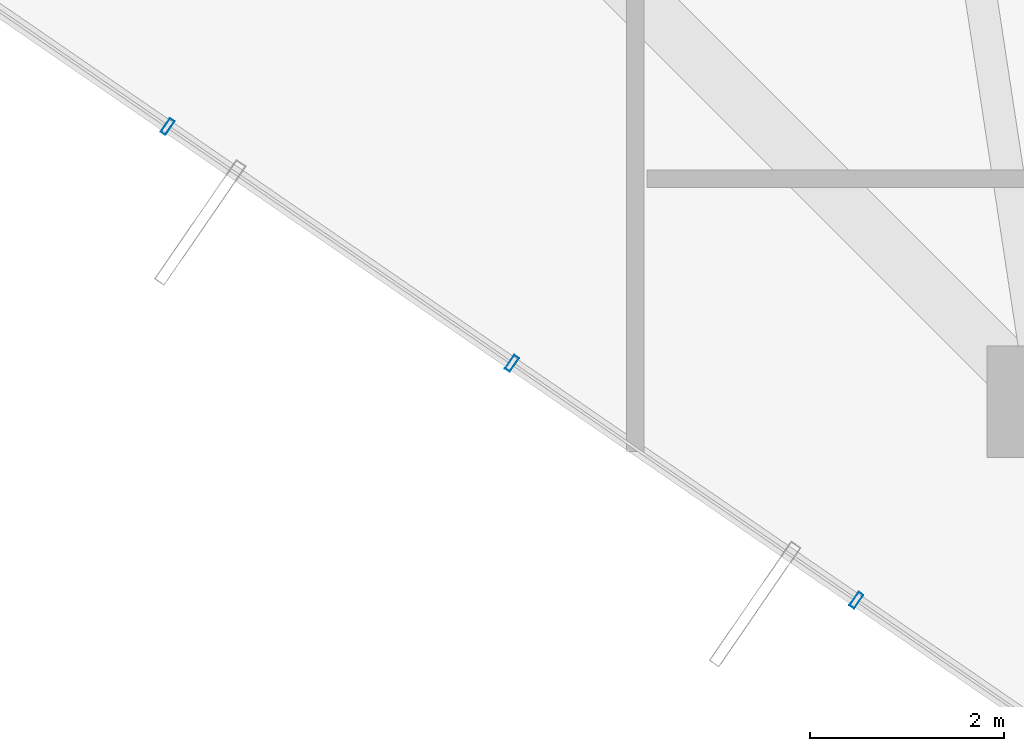
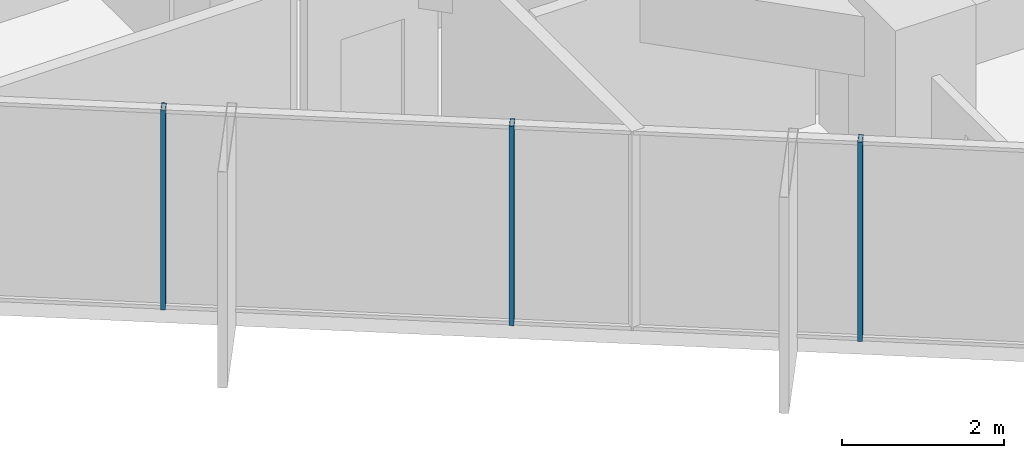
# One storey, part 2 of 30: 3 members, 1 element without a shape of its own.
"""IFC4 building model written with IfcOpenShell, lengths in metres."""

import ifcopenshell
import ifcopenshell.guid

model = None  # the IFC model being written
_history = None  # IfcOwnerHistory: only IFC2X3 demands one
_inside = {}  # id of a spatial element -> (the spatial element, [elements in it])
_under = {}  # id of a project, library or spatial element -> (it, [spatial elements below it])
_declared = {}  # id of a project -> (the project, [libraries it declares])
_typed = {}  # id of a type object -> (the type object, [elements of that type])
_made_of = {}  # id of a material, layer set ... -> (it, [elements and type objects made of it])


def new_model(schema):
    """Start an empty IFC model of exactly this schema.

    Asked for "IFC4X3", IfcOpenShell would pick the latest addendum, in which some entities
    have other attributes; the version numbers below select the first issue.
    IFC2X3 requires an IfcOwnerHistory on every rooted entity: one is made here for all.
    """
    global model, _history
    if schema == "IFC4X3":
        model = ifcopenshell.file(schema_version=(4, 3, 0, 0))
    else:
        model = ifcopenshell.file(schema=schema)
    _inside.clear()
    _under.clear()
    _declared.clear()
    _typed.clear()
    _made_of.clear()
    _history = None
    if model.schema == "IFC2X3":
        org = make("IfcOrganization", Name="unknown")
        user = make(
            "IfcPersonAndOrganization",
            ThePerson=make("IfcPerson", FamilyName="unknown"),
            TheOrganization=org,
        )
        app = make(
            "IfcApplication",
            ApplicationDeveloper=org,
            Version="unknown",
            ApplicationFullName="unknown",
            ApplicationIdentifier="unknown",
        )
        _history = make(
            "IfcOwnerHistory",
            OwningUser=user,
            OwningApplication=app,
            ChangeAction="ADDED",
            CreationDate=0,
        )
    return model


def make(cls, **values):
    """One entity of the class cls with the attributes given. An attribute that is None is left unset."""
    return model.create_entity(
        cls, **{name: value for name, value in values.items() if value is not None}
    )


def rooted(cls, **values):
    """An entity with a GlobalId (a new one), such as an element, a storey or a relation."""
    return make(cls, GlobalId=ifcopenshell.guid.new(), OwnerHistory=_history, **values)


def si_unit(unit_type, name, prefix=None):
    """IfcSIUnit, for example si_unit("LENGTHUNIT", "METRE", prefix="MILLI")."""
    return make("IfcSIUnit", UnitType=unit_type, Prefix=prefix, Name=name)


def assignment(units):
    """IfcUnitAssignment: the units of a project."""
    return None if units is None else make("IfcUnitAssignment", Units=units)


def point(xyz):
    """IfcCartesianPoint."""
    return None if xyz is None else make("IfcCartesianPoint", Coordinates=xyz)


def direction(xyz):
    """IfcDirection."""
    return None if xyz is None else make("IfcDirection", DirectionRatios=xyz)


def frame(location, z_axis=None, x_axis=None):
    """IfcAxis2Placement3D, a coordinate frame: its origin and axes. An axis left out is left unset."""
    return make(
        "IfcAxis2Placement3D",
        Location=point(location),
        Axis=direction(z_axis),
        RefDirection=direction(x_axis),
    )


def frame_2d(location, x_axis=None):
    """IfcAxis2Placement2D, a coordinate frame in the plane: its origin and x axis."""
    return make(
        "IfcAxis2Placement2D", Location=point(location), RefDirection=direction(x_axis)
    )


def origin():
    """The frame at (0, 0, 0) with its axes left unset."""
    return frame((0.0, 0.0, 0.0))


def origin_2d():
    """The frame at (0, 0) in the plane with its x axis left unset."""
    return frame_2d((0.0, 0.0))


def place(relative_to, where):
    """IfcLocalPlacement: puts the frame where relative to a parent placement (None: the world)."""
    return make(
        "IfcLocalPlacement", PlacementRelTo=relative_to, RelativePlacement=where
    )


def context(
    kind, dimensions, precision=None, world=None, true_north=None, identifier=None
):
    """IfcGeometricRepresentationContext, for example the 3D "Model" context."""
    return make(
        "IfcGeometricRepresentationContext",
        ContextIdentifier=identifier,
        ContextType=kind,
        CoordinateSpaceDimension=dimensions,
        Precision=precision,
        WorldCoordinateSystem=world,
        TrueNorth=true_north,
    )


def subcontext(parent, identifier, kind, view, scale=None):
    """IfcGeometricRepresentationSubContext, for example "Body" below "Model"."""
    return make(
        "IfcGeometricRepresentationSubContext",
        ContextIdentifier=identifier,
        ContextType=kind,
        ParentContext=parent,
        TargetScale=scale,
        TargetView=view,
    )


def project(units=None, contexts=None):
    """IfcProject with its units and contexts."""
    return rooted(
        "IfcProject",
        Name="project",
        RepresentationContexts=contexts,
        UnitsInContext=assignment(units),
    )


def spatial(cls, under=None, at=None, **own):
    """A site, building, storey or space (cls), placed at a placement, below another one or the project."""
    s = rooted(cls, ObjectPlacement=at, **own)
    if under is not None:
        _under.setdefault(under.id(), (under, []))[1].append(s)
    return s


def profile(cls, at=None, kind="AREA", **sizes):
    """A parametric profile (cls). Its sizes go by their IFC names, for example OverallWidth=200.0."""
    return make(cls, ProfileType=kind, Position=at, **sizes)


def hollow_rectangle(**sizes):
    """IfcRectangleHollowProfileDef."""
    return profile("IfcRectangleHollowProfileDef", **sizes)


def extrude(swept, where, along, depth):
    """IfcExtrudedAreaSolid: the profile swept, set in the frame where, extruded along a direction by depth."""
    return make(
        "IfcExtrudedAreaSolid",
        SweptArea=swept,
        Position=where,
        ExtrudedDirection=direction(along),
        Depth=depth,
    )


def shape(context_of_items, identifier, shape_type, items):
    """IfcShapeRepresentation: the items that make up one representation, for example the "Body"."""
    return make(
        "IfcShapeRepresentation",
        ContextOfItems=context_of_items,
        RepresentationIdentifier=identifier,
        RepresentationType=shape_type,
        Items=items,
    )


def source(mapping_origin, context_of_items, identifier, shape_type, items):
    """IfcRepresentationMap: a shape defined once, which mapped items show again and again."""
    return make(
        "IfcRepresentationMap",
        MappingOrigin=mapping_origin,
        MappedRepresentation=shape(context_of_items, identifier, shape_type, items),
    )


def transform(
    local_origin,
    x_axis=None,
    y_axis=None,
    z_axis=None,
    scale=None,
    scale2=None,
    scale3=None,
    uniform=True,
):
    """IfcCartesianTransformationOperator3D, or its non-uniform kind. x_axis, y_axis, z_axis: its Axis1, 2, 3."""
    if uniform:
        return make(
            "IfcCartesianTransformationOperator3D",
            Axis1=direction(x_axis),
            Axis2=direction(y_axis),
            LocalOrigin=point(local_origin),
            Scale=scale,
            Axis3=direction(z_axis),
        )
    return make(
        "IfcCartesianTransformationOperator3DnonUniform",
        Axis1=direction(x_axis),
        Axis2=direction(y_axis),
        LocalOrigin=point(local_origin),
        Scale=scale,
        Axis3=direction(z_axis),
        Scale2=scale2,
        Scale3=scale3,
    )


def mapped(mapping_source, mapping_target):
    """IfcMappedItem: shows the shape of a source again, moved by a transform."""
    return make(
        "IfcMappedItem", MappingSource=mapping_source, MappingTarget=mapping_target
    )


def material(Name=None, Category=None):
    """IfcMaterial."""
    return make("IfcMaterial", Name=Name, Category=Category)


def layer(
    of_material, thickness, ventilated=None, Name=None, Category=None, Priority=None
):
    """IfcMaterialLayer: one layer of a wall or slab, of a material (None: an air gap)."""
    return make(
        "IfcMaterialLayer",
        Material=of_material,
        LayerThickness=thickness,
        IsVentilated=ventilated,
        Name=Name,
        Category=Category,
        Priority=Priority,
    )


def layer_set(layers, Name=None):
    """IfcMaterialLayerSet."""
    return make("IfcMaterialLayerSet", MaterialLayers=layers, LayerSetName=Name)


def material_profile(
    of_material, cross_section, Name=None, Category=None, Priority=None
):
    """IfcMaterialProfile: a cross section and its material."""
    return make(
        "IfcMaterialProfile",
        Name=Name,
        Material=of_material,
        Profile=cross_section,
        Priority=Priority,
        Category=Category,
    )


def profile_set(profiles, Name=None, composite=None):
    """IfcMaterialProfileSet."""
    return make(
        "IfcMaterialProfileSet",
        Name=Name,
        MaterialProfiles=profiles,
        CompositeProfile=composite,
    )


def made_of(thing, what):
    """Note that an element or type object is made of a material, layer set ...; save() writes the relation."""
    if what is not None:
        _made_of.setdefault(what.id(), (what, []))[1].append(thing)
    return thing


def type_object(cls, material=None, **own):
    """A type object (cls), such as IfcWallType, which elements share."""
    return made_of(rooted(cls, **own), material)


def element(
    cls,
    number,
    at=None,
    inside=None,
    cuts=None,
    type_object=None,
    material=None,
    context=None,
    identifier="Body",
    shape_type=None,
    held_by="IfcProductDefinitionShape",
    body=None,
    shapes=None,
    **own,
):
    """One element of the class cls, such as IfcWall. Its Tag is "e" and its number.

    at: its placement. inside: the storey or other place that contains it. cuts: it is an
    opening in that element (IfcRelVoidsElement). A single representation is given by context,
    identifier, shape_type and body (its items); several are given by shapes. held_by: the class
    of the entity that holds the representations. save() writes the other relations.
    """
    e = rooted(cls, Tag="e%d" % number, ObjectPlacement=at, **own)
    if body is not None:
        shapes = [shape(context, identifier, shape_type, body)]
    if shapes is not None:
        e.Representation = make(held_by, Representations=shapes)
    if inside is not None:
        _inside.setdefault(inside.id(), (inside, []))[1].append(e)
    if cuts is not None:
        rooted(
            "IfcRelVoidsElement", RelatingBuildingElement=cuts, RelatedOpeningElement=e
        )
    if type_object is not None:
        _typed.setdefault(type_object.id(), (type_object, []))[1].append(e)
    return made_of(e, material)


def aggregate(whole, parts):
    """IfcRelAggregates: a whole, such as a stair, and the parts it consists of."""
    return rooted("IfcRelAggregates", RelatingObject=whole, RelatedObjects=parts)


def save(model, path):
    """Write the relations noted so far, then the file.

    IfcRelAggregates (storeys below a building ...), IfcRelContainedInSpatialStructure (elements
    in a storey), IfcRelDefinesByType, IfcRelAssociatesMaterial and IfcRelDeclares: one each for
    every whole, place, type object, material and project.
    """
    for whole, parts in _under.values():
        aggregate(whole, parts)
    for where, things in _inside.values():
        rooted(
            "IfcRelContainedInSpatialStructure",
            RelatedElements=things,
            RelatingStructure=where,
        )
    for kind, things in _typed.values():
        rooted("IfcRelDefinesByType", RelatedObjects=things, RelatingType=kind)
    for what, things in _made_of.values():
        rooted("IfcRelAssociatesMaterial", RelatedObjects=things, RelatingMaterial=what)
    for by, libraries in _declared.values():
        rooted("IfcRelDeclares", RelatingContext=by, RelatedDefinitions=libraries)
    model.write(path)


model = new_model("IFC4")

# Units and contexts
model_context = context("Model", 3, precision=1e-05, world=origin(), true_north=direction((0.0, 1.0)))
body_context = subcontext(model_context, "Body", "Model", "MODEL_VIEW")
ifc_project = project(units=[si_unit("LENGTHUNIT", "METRE"), si_unit("AREAUNIT", "SQUARE_METRE"), si_unit("VOLUMEUNIT", "CUBIC_METRE"), si_unit("PLANEANGLEUNIT", "RADIAN"), si_unit("MASSUNIT", "GRAM", prefix="KILO")], contexts=[model_context])

# Site, building, storey
site_placement = place(None, origin())
site = spatial("IfcSite", under=ifc_project, at=site_placement, CompositionType="ELEMENT")
building_placement = place(site_placement, origin())
building = spatial("IfcBuilding", under=site, at=building_placement, Name="Veraguas Prism Commons", CompositionType="ELEMENT")
storey_placement = place(building_placement, frame((0.0, 0.0, 113.25)))
storey = spatial("IfcBuildingStorey", under=building, at=storey_placement, Name="L31", CompositionType="ELEMENT", Elevation=113.25)

# Curtain wall, members
ifc_material = material(Name="Anodised aluminium EN AW-6063 T6", Category="aluminium")
ifc_layer = layer(ifc_material, 0.169921875, Name="Unitised Flush Curtain Wall Zone 2", Category="aluminium")
ifc_layer_set = layer_set([ifc_layer], Name="Anodised aluminium EN AW-6063 T6")
curtain_wall_type = type_object("IfcCurtainWallType", Name="Unitised Flush Curtain Wall Zone 2", PredefinedType="NOTDEFINED", material=ifc_layer_set)
curtain_wall_placement = place(storey_placement, origin())
curtain_wall = element("IfcCurtainWall", 1, at=curtain_wall_placement, inside=storey, type_object=curtain_wall_type, Name="Tower Facade Curtain Wall L31-F4", PredefinedType="NOTDEFINED")
ifc_material_profile = material_profile(ifc_material, hollow_rectangle(XDim=0.06005859375, YDim=0.169921875, WallThickness=0.00390625, at=origin_2d()), Name="AL60X170X4")
ifc_profile_set = profile_set([ifc_material_profile], Name="Anodised aluminium EN AW-6063 T6")
member_type = type_object("IfcMemberType", Name="Curtain Wall Mullion Lower AL 60x170x4", PredefinedType="MULLION", material=ifc_profile_set)
shared_shape = source(origin(), body_context, "Body", "SweptSolid", [
    extrude(hollow_rectangle(XDim=0.06005859375, YDim=0.169921875, WallThickness=0.00390625, at=origin_2d()), origin(), (0.0, 0.0, 1.0), 3.0),
])
member_1_placement = place(storey_placement, frame((9.579345703125, 10.63671875, 0.0), z_axis=(0.0, 0.0, 1.0), x_axis=(0.823930403472, -0.566691000664, 0.0)))
member_1 = element("IfcMember", 2, at=member_1_placement, type_object=member_type, Name="CW-Z2 Mullion 2", PredefinedType="MULLION", context=body_context, shape_type="MappedRepresentation", body=[
    mapped(shared_shape, transform((0.0, 0.0, 0.0), scale=1.0)),
])
member_2_placement = place(storey_placement, frame((13.12939453125, 8.195068359375, 0.0), z_axis=(0.0, 0.0, 1.0), x_axis=(0.823930403472, -0.566691000664, 0.0)))
member_2 = element("IfcMember", 3, at=member_2_placement, type_object=member_type, Name="CW-Z2 Mullion 3", PredefinedType="MULLION", context=body_context, shape_type="MappedRepresentation", body=[
    mapped(shared_shape, transform((0.0, 0.0, 0.0), scale=1.0)),
])
member_3_placement = place(storey_placement, frame((16.679443359375, 5.75341796875, 0.0), z_axis=(0.0, 0.0, 1.0), x_axis=(0.823930403472, -0.566691000664, 0.0)))
member_3 = element("IfcMember", 4, at=member_3_placement, type_object=member_type, Name="CW-Z2 Mullion 4", PredefinedType="MULLION", context=body_context, shape_type="MappedRepresentation", body=[
    mapped(shared_shape, transform((0.0, 0.0, 0.0), scale=1.0)),
])
aggregate(curtain_wall, [member_1, member_2, member_3])

save(model, "model.ifc")
